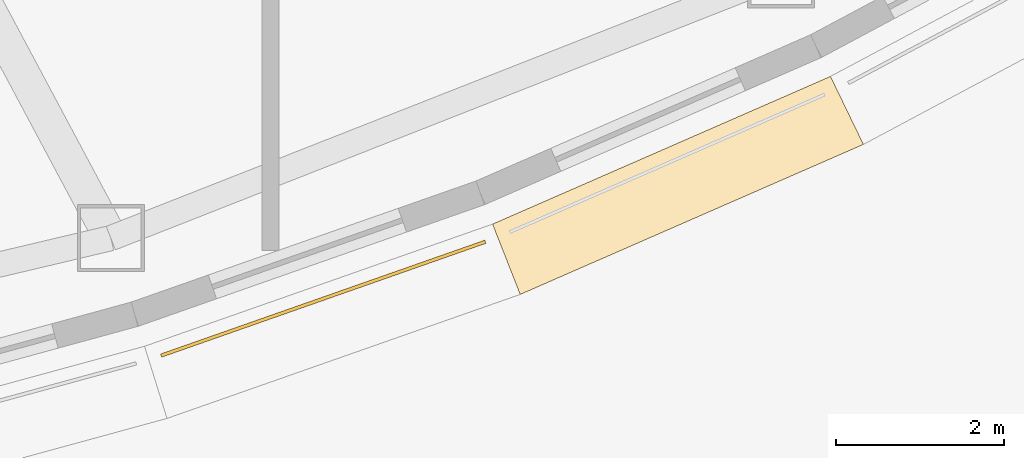
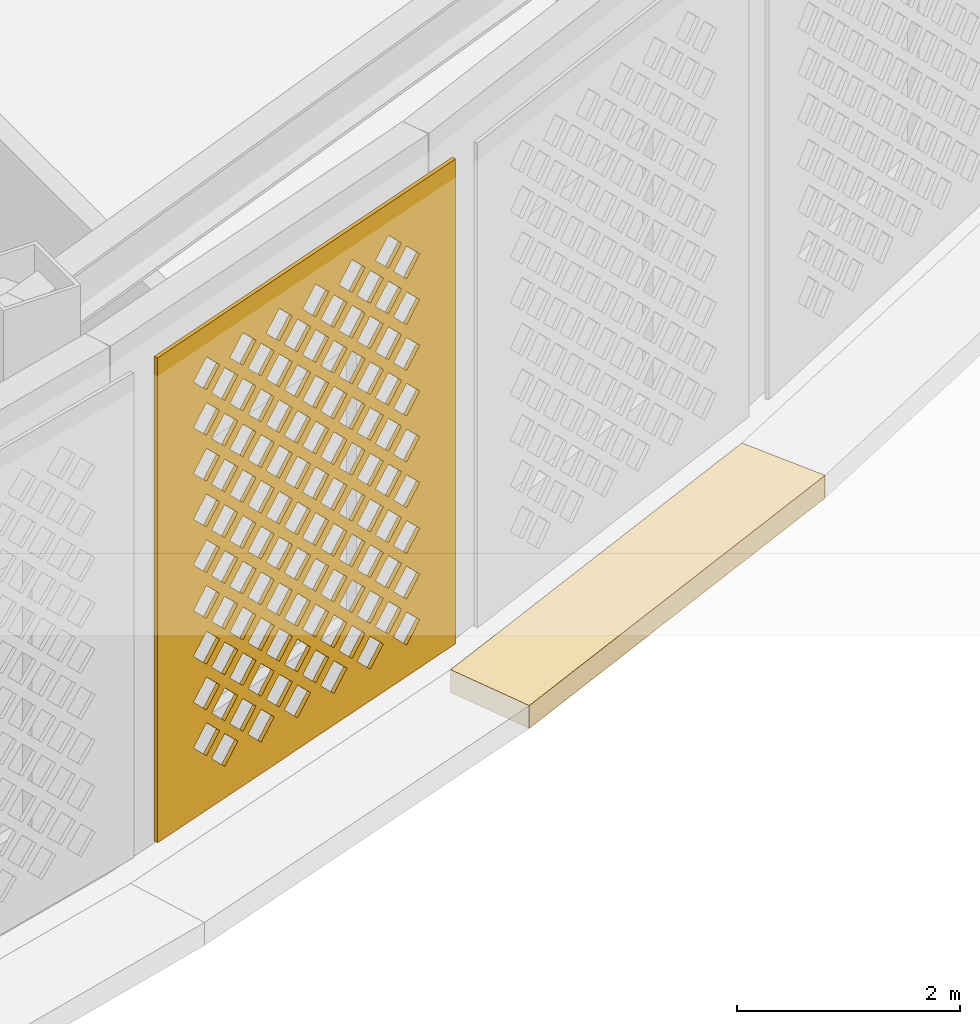
# One storey, part 62 of 74: 2 coverings.
"""IFC4 building model written with IfcOpenShell, lengths in metres."""

import ifcopenshell
import ifcopenshell.guid

model = None  # the IFC model being written
_history = None  # IfcOwnerHistory: only IFC2X3 demands one
_inside = {}  # id of a spatial element -> (the spatial element, [elements in it])
_under = {}  # id of a project, library or spatial element -> (it, [spatial elements below it])
_declared = {}  # id of a project -> (the project, [libraries it declares])
_typed = {}  # id of a type object -> (the type object, [elements of that type])
_made_of = {}  # id of a material, layer set ... -> (it, [elements and type objects made of it])


def new_model(schema):
    """Start an empty IFC model of exactly this schema.

    Asked for "IFC4X3", IfcOpenShell would pick the latest addendum, in which some entities
    have other attributes; the version numbers below select the first issue.
    IFC2X3 requires an IfcOwnerHistory on every rooted entity: one is made here for all.
    """
    global model, _history
    if schema == "IFC4X3":
        model = ifcopenshell.file(schema_version=(4, 3, 0, 0))
    else:
        model = ifcopenshell.file(schema=schema)
    _inside.clear()
    _under.clear()
    _declared.clear()
    _typed.clear()
    _made_of.clear()
    _history = None
    if model.schema == "IFC2X3":
        org = make("IfcOrganization", Name="unknown")
        user = make(
            "IfcPersonAndOrganization",
            ThePerson=make("IfcPerson", FamilyName="unknown"),
            TheOrganization=org,
        )
        app = make(
            "IfcApplication",
            ApplicationDeveloper=org,
            Version="unknown",
            ApplicationFullName="unknown",
            ApplicationIdentifier="unknown",
        )
        _history = make(
            "IfcOwnerHistory",
            OwningUser=user,
            OwningApplication=app,
            ChangeAction="ADDED",
            CreationDate=0,
        )
    return model


def make(cls, **values):
    """One entity of the class cls with the attributes given. An attribute that is None is left unset."""
    return model.create_entity(
        cls, **{name: value for name, value in values.items() if value is not None}
    )


def rooted(cls, **values):
    """An entity with a GlobalId (a new one), such as an element, a storey or a relation."""
    return make(cls, GlobalId=ifcopenshell.guid.new(), OwnerHistory=_history, **values)


def si_unit(unit_type, name, prefix=None):
    """IfcSIUnit, for example si_unit("LENGTHUNIT", "METRE", prefix="MILLI")."""
    return make("IfcSIUnit", UnitType=unit_type, Prefix=prefix, Name=name)


def assignment(units):
    """IfcUnitAssignment: the units of a project."""
    return None if units is None else make("IfcUnitAssignment", Units=units)


def point(xyz):
    """IfcCartesianPoint."""
    return None if xyz is None else make("IfcCartesianPoint", Coordinates=xyz)


def direction(xyz):
    """IfcDirection."""
    return None if xyz is None else make("IfcDirection", DirectionRatios=xyz)


def frame(location, z_axis=None, x_axis=None):
    """IfcAxis2Placement3D, a coordinate frame: its origin and axes. An axis left out is left unset."""
    return make(
        "IfcAxis2Placement3D",
        Location=point(location),
        Axis=direction(z_axis),
        RefDirection=direction(x_axis),
    )


def origin():
    """The frame at (0, 0, 0) with its axes left unset."""
    return frame((0.0, 0.0, 0.0))


def place(relative_to, where):
    """IfcLocalPlacement: puts the frame where relative to a parent placement (None: the world)."""
    return make(
        "IfcLocalPlacement", PlacementRelTo=relative_to, RelativePlacement=where
    )


def context(
    kind, dimensions, precision=None, world=None, true_north=None, identifier=None
):
    """IfcGeometricRepresentationContext, for example the 3D "Model" context."""
    return make(
        "IfcGeometricRepresentationContext",
        ContextIdentifier=identifier,
        ContextType=kind,
        CoordinateSpaceDimension=dimensions,
        Precision=precision,
        WorldCoordinateSystem=world,
        TrueNorth=true_north,
    )


def subcontext(parent, identifier, kind, view, scale=None):
    """IfcGeometricRepresentationSubContext, for example "Body" below "Model"."""
    return make(
        "IfcGeometricRepresentationSubContext",
        ContextIdentifier=identifier,
        ContextType=kind,
        ParentContext=parent,
        TargetScale=scale,
        TargetView=view,
    )


def project(units=None, contexts=None):
    """IfcProject with its units and contexts."""
    return rooted(
        "IfcProject",
        Name="project",
        RepresentationContexts=contexts,
        UnitsInContext=assignment(units),
    )


def spatial(cls, under=None, at=None, **own):
    """A site, building, storey or space (cls), placed at a placement, below another one or the project."""
    s = rooted(cls, ObjectPlacement=at, **own)
    if under is not None:
        _under.setdefault(under.id(), (under, []))[1].append(s)
    return s


def polyline(points):
    """IfcPolyline through the points."""
    return make("IfcPolyline", Points=[point(p) for p in points])


def outline(outer, holes=None, kind="AREA"):
    """IfcArbitraryClosedProfileDef: a profile drawn as a closed curve; with holes, ...WithVoids."""
    if holes is None:
        return make("IfcArbitraryClosedProfileDef", ProfileType=kind, OuterCurve=outer)
    return make(
        "IfcArbitraryProfileDefWithVoids",
        ProfileType=kind,
        OuterCurve=outer,
        InnerCurves=holes,
    )


def extrude(swept, where, along, depth):
    """IfcExtrudedAreaSolid: the profile swept, set in the frame where, extruded along a direction by depth."""
    return make(
        "IfcExtrudedAreaSolid",
        SweptArea=swept,
        Position=where,
        ExtrudedDirection=direction(along),
        Depth=depth,
    )


def shape(context_of_items, identifier, shape_type, items):
    """IfcShapeRepresentation: the items that make up one representation, for example the "Body"."""
    return make(
        "IfcShapeRepresentation",
        ContextOfItems=context_of_items,
        RepresentationIdentifier=identifier,
        RepresentationType=shape_type,
        Items=items,
    )


def material(Name=None, Category=None):
    """IfcMaterial."""
    return make("IfcMaterial", Name=Name, Category=Category)


def layer(
    of_material, thickness, ventilated=None, Name=None, Category=None, Priority=None
):
    """IfcMaterialLayer: one layer of a wall or slab, of a material (None: an air gap)."""
    return make(
        "IfcMaterialLayer",
        Material=of_material,
        LayerThickness=thickness,
        IsVentilated=ventilated,
        Name=Name,
        Category=Category,
        Priority=Priority,
    )


def layer_set(layers, Name=None):
    """IfcMaterialLayerSet."""
    return make("IfcMaterialLayerSet", MaterialLayers=layers, LayerSetName=Name)


def made_of(thing, what):
    """Note that an element or type object is made of a material, layer set ...; save() writes the relation."""
    if what is not None:
        _made_of.setdefault(what.id(), (what, []))[1].append(thing)
    return thing


def type_object(cls, material=None, **own):
    """A type object (cls), such as IfcWallType, which elements share."""
    return made_of(rooted(cls, **own), material)


def element(
    cls,
    number,
    at=None,
    inside=None,
    cuts=None,
    type_object=None,
    material=None,
    context=None,
    identifier="Body",
    shape_type=None,
    held_by="IfcProductDefinitionShape",
    body=None,
    shapes=None,
    **own,
):
    """One element of the class cls, such as IfcWall. Its Tag is "e" and its number.

    at: its placement. inside: the storey or other place that contains it. cuts: it is an
    opening in that element (IfcRelVoidsElement). A single representation is given by context,
    identifier, shape_type and body (its items); several are given by shapes. held_by: the class
    of the entity that holds the representations. save() writes the other relations.
    """
    e = rooted(cls, Tag="e%d" % number, ObjectPlacement=at, **own)
    if body is not None:
        shapes = [shape(context, identifier, shape_type, body)]
    if shapes is not None:
        e.Representation = make(held_by, Representations=shapes)
    if inside is not None:
        _inside.setdefault(inside.id(), (inside, []))[1].append(e)
    if cuts is not None:
        rooted(
            "IfcRelVoidsElement", RelatingBuildingElement=cuts, RelatedOpeningElement=e
        )
    if type_object is not None:
        _typed.setdefault(type_object.id(), (type_object, []))[1].append(e)
    return made_of(e, material)


def aggregate(whole, parts):
    """IfcRelAggregates: a whole, such as a stair, and the parts it consists of."""
    return rooted("IfcRelAggregates", RelatingObject=whole, RelatedObjects=parts)


def save(model, path):
    """Write the relations noted so far, then the file.

    IfcRelAggregates (storeys below a building ...), IfcRelContainedInSpatialStructure (elements
    in a storey), IfcRelDefinesByType, IfcRelAssociatesMaterial and IfcRelDeclares: one each for
    every whole, place, type object, material and project.
    """
    for whole, parts in _under.values():
        aggregate(whole, parts)
    for where, things in _inside.values():
        rooted(
            "IfcRelContainedInSpatialStructure",
            RelatedElements=things,
            RelatingStructure=where,
        )
    for kind, things in _typed.values():
        rooted("IfcRelDefinesByType", RelatedObjects=things, RelatingType=kind)
    for what, things in _made_of.values():
        rooted("IfcRelAssociatesMaterial", RelatedObjects=things, RelatingMaterial=what)
    for by, libraries in _declared.values():
        rooted("IfcRelDeclares", RelatingContext=by, RelatedDefinitions=libraries)
    model.write(path)


model = new_model("IFC4")

# Units and contexts
model_context = context("Model", 3, precision=1e-05, world=origin(), true_north=direction((0.0, 1.0)))
body_context = subcontext(model_context, "Body", "Model", "MODEL_VIEW")
ifc_project = project(units=[si_unit("LENGTHUNIT", "METRE"), si_unit("AREAUNIT", "SQUARE_METRE"), si_unit("VOLUMEUNIT", "CUBIC_METRE"), si_unit("PLANEANGLEUNIT", "RADIAN"), si_unit("MASSUNIT", "GRAM", prefix="KILO")], contexts=[model_context])

# Site, building, storey
site_placement = place(None, origin())
site = spatial("IfcSite", under=ifc_project, at=site_placement, CompositionType="ELEMENT")
building_placement = place(site_placement, origin())
building = spatial("IfcBuilding", under=site, at=building_placement, Name="Noorbagh Ring Tower", CompositionType="ELEMENT")
storey_placement = place(building_placement, frame((0.0, 0.0, 7.5)))
storey = spatial("IfcBuildingStorey", under=building, at=storey_placement, Name="L01", CompositionType="ELEMENT", Elevation=7.5)

# Coverings
ifc_material_1 = material(Name="Red sandstone eave", Category="masonry")
covering_type_1 = type_object("IfcCoveringType", Name="STY-CHHAJJA", PredefinedType="USERDEFINED", material=ifc_material_1)
covering_1_placement = place(storey_placement, frame((0.0, 0.0, -0.25)))
element("IfcCovering", 1, at=covering_1_placement, inside=storey, type_object=covering_type_1, Name="Chhajja eave", ObjectType="CHHAJJA", PredefinedType="USERDEFINED", context=body_context, shape_type="SweptSolid", body=[
    extrude(outline(polyline([(23.647216796875, -35.624755859375), (27.67578125, -33.864013671875), (28.068603515625, -34.674560546875), (23.976806640625, -36.462890625), (23.647216796875, -35.624755859375)])), origin(), (0.0, 0.0, 1.0), 0.25),
])
ifc_material_2 = material(Name="Red sandstone jali", Category="masonry")
ifc_layer = layer(ifc_material_2, 0.0400390625)
ifc_layer_set = layer_set([ifc_layer], Name="Red sandstone jali")
covering_type_2 = type_object("IfcCoveringType", Name="STY-JALI", PredefinedType="USERDEFINED", material=ifc_layer_set)
covering_2_placement = place(storey_placement, frame((19.702880859375, -37.2109375, 0.449951171875), z_axis=(0.331258049676, -0.94354019762, 0.0), x_axis=(0.94354019762, 0.331258049676, 0.0)))
element("IfcCovering", 2, at=covering_2_placement, inside=storey, type_object=covering_type_2, Name="Jali screen", ObjectType="SCREEN", PredefinedType="USERDEFINED", context=body_context, shape_type="SweptSolid", body=[
    extrude(outline(polyline([(0.0, 0.0), (4.096923828125, 0.0), (4.096923828125, 5.300048828125), (0.0, 5.300048828125), (0.0, 0.0)]), holes=[polyline([(0.743408203125, 0.52490234375), (0.92333984375, 0.344970703125), (1.103515625, 0.52490234375), (0.92333984375, 0.705078125), (0.743408203125, 0.52490234375)]), polyline([(1.243408203125, 0.52490234375), (1.42333984375, 0.344970703125), (1.603515625, 0.52490234375), (1.42333984375, 0.705078125), (1.243408203125, 0.52490234375)]), polyline([(1.743408203125, 0.52490234375), (1.92333984375, 0.344970703125), (2.103515625, 0.52490234375), (1.92333984375, 0.705078125), (1.743408203125, 0.52490234375)]), polyline([(2.243408203125, 0.52490234375), (2.42333984375, 0.344970703125), (2.603515625, 0.52490234375), (2.42333984375, 0.705078125), (2.243408203125, 0.52490234375)]), polyline([(2.743408203125, 0.52490234375), (2.92333984375, 0.344970703125), (3.103515625, 0.52490234375), (2.92333984375, 0.705078125), (2.743408203125, 0.52490234375)]), polyline([(3.243408203125, 0.52490234375), (3.42333984375, 0.344970703125), (3.603515625, 0.52490234375), (3.42333984375, 0.705078125), (3.243408203125, 0.52490234375)]), polyline([(0.493408203125, 0.77490234375), (0.67333984375, 0.594970703125), (0.853515625, 0.77490234375), (0.67333984375, 0.955078125), (0.493408203125, 0.77490234375)]), polyline([(0.993408203125, 0.77490234375), (1.17333984375, 0.594970703125), (1.353515625, 0.77490234375), (1.17333984375, 0.955078125), (0.993408203125, 0.77490234375)]), polyline([(1.493408203125, 0.77490234375), (1.67333984375, 0.594970703125), (1.853515625, 0.77490234375), (1.67333984375, 0.955078125), (1.493408203125, 0.77490234375)]), polyline([(1.993408203125, 0.77490234375), (2.17333984375, 0.594970703125), (2.353515625, 0.77490234375), (2.17333984375, 0.955078125), (1.993408203125, 0.77490234375)]), polyline([(2.493408203125, 0.77490234375), (2.67333984375, 0.594970703125), (2.853515625, 0.77490234375), (2.67333984375, 0.955078125), (2.493408203125, 0.77490234375)]), polyline([(2.993408203125, 0.77490234375), (3.17333984375, 0.594970703125), (3.353515625, 0.77490234375), (3.17333984375, 0.955078125), (2.993408203125, 0.77490234375)]), polyline([(0.743408203125, 1.02490234375), (0.92333984375, 0.844970703125), (1.103515625, 1.02490234375), (0.92333984375, 1.205078125), (0.743408203125, 1.02490234375)]), polyline([(1.243408203125, 1.02490234375), (1.42333984375, 0.844970703125), (1.603515625, 1.02490234375), (1.42333984375, 1.205078125), (1.243408203125, 1.02490234375)]), polyline([(1.743408203125, 1.02490234375), (1.92333984375, 0.844970703125), (2.103515625, 1.02490234375), (1.92333984375, 1.205078125), (1.743408203125, 1.02490234375)]), polyline([(2.243408203125, 1.02490234375), (2.42333984375, 0.844970703125), (2.603515625, 1.02490234375), (2.42333984375, 1.205078125), (2.243408203125, 1.02490234375)]), polyline([(2.743408203125, 1.02490234375), (2.92333984375, 0.844970703125), (3.103515625, 1.02490234375), (2.92333984375, 1.205078125), (2.743408203125, 1.02490234375)]), polyline([(3.243408203125, 1.02490234375), (3.42333984375, 0.844970703125), (3.603515625, 1.02490234375), (3.42333984375, 1.205078125), (3.243408203125, 1.02490234375)]), polyline([(0.493408203125, 1.27490234375), (0.67333984375, 1.094970703125), (0.853515625, 1.27490234375), (0.67333984375, 1.455078125), (0.493408203125, 1.27490234375)]), polyline([(0.993408203125, 1.27490234375), (1.17333984375, 1.094970703125), (1.353515625, 1.27490234375), (1.17333984375, 1.455078125), (0.993408203125, 1.27490234375)]), polyline([(1.493408203125, 1.27490234375), (1.67333984375, 1.094970703125), (1.853515625, 1.27490234375), (1.67333984375, 1.455078125), (1.493408203125, 1.27490234375)]), polyline([(1.993408203125, 1.27490234375), (2.17333984375, 1.094970703125), (2.353515625, 1.27490234375), (2.17333984375, 1.455078125), (1.993408203125, 1.27490234375)]), polyline([(2.493408203125, 1.27490234375), (2.67333984375, 1.094970703125), (2.853515625, 1.27490234375), (2.67333984375, 1.455078125), (2.493408203125, 1.27490234375)]), polyline([(2.993408203125, 1.27490234375), (3.17333984375, 1.094970703125), (3.353515625, 1.27490234375), (3.17333984375, 1.455078125), (2.993408203125, 1.27490234375)]), polyline([(0.743408203125, 1.52490234375), (0.92333984375, 1.344970703125), (1.103515625, 1.52490234375), (0.92333984375, 1.705078125), (0.743408203125, 1.52490234375)]), polyline([(1.243408203125, 1.52490234375), (1.42333984375, 1.344970703125), (1.603515625, 1.52490234375), (1.42333984375, 1.705078125), (1.243408203125, 1.52490234375)]), polyline([(1.743408203125, 1.52490234375), (1.92333984375, 1.344970703125), (2.103515625, 1.52490234375), (1.92333984375, 1.705078125), (1.743408203125, 1.52490234375)]), polyline([(2.243408203125, 1.52490234375), (2.42333984375, 1.344970703125), (2.603515625, 1.52490234375), (2.42333984375, 1.705078125), (2.243408203125, 1.52490234375)]), polyline([(2.743408203125, 1.52490234375), (2.92333984375, 1.344970703125), (3.103515625, 1.52490234375), (2.92333984375, 1.705078125), (2.743408203125, 1.52490234375)]), polyline([(3.243408203125, 1.52490234375), (3.42333984375, 1.344970703125), (3.603515625, 1.52490234375), (3.42333984375, 1.705078125), (3.243408203125, 1.52490234375)]), polyline([(0.493408203125, 1.77490234375), (0.67333984375, 1.594970703125), (0.853515625, 1.77490234375), (0.67333984375, 1.955078125), (0.493408203125, 1.77490234375)]), polyline([(0.993408203125, 1.77490234375), (1.17333984375, 1.594970703125), (1.353515625, 1.77490234375), (1.17333984375, 1.955078125), (0.993408203125, 1.77490234375)]), polyline([(1.493408203125, 1.77490234375), (1.67333984375, 1.594970703125), (1.853515625, 1.77490234375), (1.67333984375, 1.955078125), (1.493408203125, 1.77490234375)]), polyline([(1.993408203125, 1.77490234375), (2.17333984375, 1.594970703125), (2.353515625, 1.77490234375), (2.17333984375, 1.955078125), (1.993408203125, 1.77490234375)]), polyline([(2.493408203125, 1.77490234375), (2.67333984375, 1.594970703125), (2.853515625, 1.77490234375), (2.67333984375, 1.955078125), (2.493408203125, 1.77490234375)]), polyline([(2.993408203125, 1.77490234375), (3.17333984375, 1.594970703125), (3.353515625, 1.77490234375), (3.17333984375, 1.955078125), (2.993408203125, 1.77490234375)]), polyline([(0.743408203125, 2.02490234375), (0.92333984375, 1.844970703125), (1.103515625, 2.02490234375), (0.92333984375, 2.205078125), (0.743408203125, 2.02490234375)]), polyline([(1.243408203125, 2.02490234375), (1.42333984375, 1.844970703125), (1.603515625, 2.02490234375), (1.42333984375, 2.205078125), (1.243408203125, 2.02490234375)]), polyline([(1.743408203125, 2.02490234375), (1.92333984375, 1.844970703125), (2.103515625, 2.02490234375), (1.92333984375, 2.205078125), (1.743408203125, 2.02490234375)]), polyline([(2.243408203125, 2.02490234375), (2.42333984375, 1.844970703125), (2.603515625, 2.02490234375), (2.42333984375, 2.205078125), (2.243408203125, 2.02490234375)]), polyline([(2.743408203125, 2.02490234375), (2.92333984375, 1.844970703125), (3.103515625, 2.02490234375), (2.92333984375, 2.205078125), (2.743408203125, 2.02490234375)]), polyline([(3.243408203125, 2.02490234375), (3.42333984375, 1.844970703125), (3.603515625, 2.02490234375), (3.42333984375, 2.205078125), (3.243408203125, 2.02490234375)]), polyline([(0.493408203125, 2.27490234375), (0.67333984375, 2.094970703125), (0.853515625, 2.27490234375), (0.67333984375, 2.455078125), (0.493408203125, 2.27490234375)]), polyline([(0.993408203125, 2.27490234375), (1.17333984375, 2.094970703125), (1.353515625, 2.27490234375), (1.17333984375, 2.455078125), (0.993408203125, 2.27490234375)]), polyline([(1.493408203125, 2.27490234375), (1.67333984375, 2.094970703125), (1.853515625, 2.27490234375), (1.67333984375, 2.455078125), (1.493408203125, 2.27490234375)]), polyline([(1.993408203125, 2.27490234375), (2.17333984375, 2.094970703125), (2.353515625, 2.27490234375), (2.17333984375, 2.455078125), (1.993408203125, 2.27490234375)]), polyline([(2.493408203125, 2.27490234375), (2.67333984375, 2.094970703125), (2.853515625, 2.27490234375), (2.67333984375, 2.455078125), (2.493408203125, 2.27490234375)]), polyline([(2.993408203125, 2.27490234375), (3.17333984375, 2.094970703125), (3.353515625, 2.27490234375), (3.17333984375, 2.455078125), (2.993408203125, 2.27490234375)]), polyline([(0.743408203125, 2.52490234375), (0.92333984375, 2.344970703125), (1.103515625, 2.52490234375), (0.92333984375, 2.705078125), (0.743408203125, 2.52490234375)]), polyline([(1.243408203125, 2.52490234375), (1.42333984375, 2.344970703125), (1.603515625, 2.52490234375), (1.42333984375, 2.705078125), (1.243408203125, 2.52490234375)]), polyline([(1.743408203125, 2.52490234375), (1.92333984375, 2.344970703125), (2.103515625, 2.52490234375), (1.92333984375, 2.705078125), (1.743408203125, 2.52490234375)]), polyline([(2.243408203125, 2.52490234375), (2.42333984375, 2.344970703125), (2.603515625, 2.52490234375), (2.42333984375, 2.705078125), (2.243408203125, 2.52490234375)]), polyline([(2.743408203125, 2.52490234375), (2.92333984375, 2.344970703125), (3.103515625, 2.52490234375), (2.92333984375, 2.705078125), (2.743408203125, 2.52490234375)]), polyline([(3.243408203125, 2.52490234375), (3.42333984375, 2.344970703125), (3.603515625, 2.52490234375), (3.42333984375, 2.705078125), (3.243408203125, 2.52490234375)]), polyline([(0.493408203125, 2.77490234375), (0.67333984375, 2.594970703125), (0.853515625, 2.77490234375), (0.67333984375, 2.955078125), (0.493408203125, 2.77490234375)]), polyline([(0.993408203125, 2.77490234375), (1.17333984375, 2.594970703125), (1.353515625, 2.77490234375), (1.17333984375, 2.955078125), (0.993408203125, 2.77490234375)]), polyline([(1.493408203125, 2.77490234375), (1.67333984375, 2.594970703125), (1.853515625, 2.77490234375), (1.67333984375, 2.955078125), (1.493408203125, 2.77490234375)]), polyline([(1.993408203125, 2.77490234375), (2.17333984375, 2.594970703125), (2.353515625, 2.77490234375), (2.17333984375, 2.955078125), (1.993408203125, 2.77490234375)]), polyline([(2.493408203125, 2.77490234375), (2.67333984375, 2.594970703125), (2.853515625, 2.77490234375), (2.67333984375, 2.955078125), (2.493408203125, 2.77490234375)]), polyline([(2.993408203125, 2.77490234375), (3.17333984375, 2.594970703125), (3.353515625, 2.77490234375), (3.17333984375, 2.955078125), (2.993408203125, 2.77490234375)]), polyline([(0.743408203125, 3.02490234375), (0.92333984375, 2.844970703125), (1.103515625, 3.02490234375), (0.92333984375, 3.205078125), (0.743408203125, 3.02490234375)]), polyline([(1.243408203125, 3.02490234375), (1.42333984375, 2.844970703125), (1.603515625, 3.02490234375), (1.42333984375, 3.205078125), (1.243408203125, 3.02490234375)]), polyline([(1.743408203125, 3.02490234375), (1.92333984375, 2.844970703125), (2.103515625, 3.02490234375), (1.92333984375, 3.205078125), (1.743408203125, 3.02490234375)]), polyline([(2.243408203125, 3.02490234375), (2.42333984375, 2.844970703125), (2.603515625, 3.02490234375), (2.42333984375, 3.205078125), (2.243408203125, 3.02490234375)]), polyline([(2.743408203125, 3.02490234375), (2.92333984375, 2.844970703125), (3.103515625, 3.02490234375), (2.92333984375, 3.205078125), (2.743408203125, 3.02490234375)]), polyline([(3.243408203125, 3.02490234375), (3.42333984375, 2.844970703125), (3.603515625, 3.02490234375), (3.42333984375, 3.205078125), (3.243408203125, 3.02490234375)]), polyline([(0.493408203125, 3.27490234375), (0.67333984375, 3.094970703125), (0.853515625, 3.27490234375), (0.67333984375, 3.455078125), (0.493408203125, 3.27490234375)]), polyline([(0.993408203125, 3.27490234375), (1.17333984375, 3.094970703125), (1.353515625, 3.27490234375), (1.17333984375, 3.455078125), (0.993408203125, 3.27490234375)]), polyline([(1.493408203125, 3.27490234375), (1.67333984375, 3.094970703125), (1.853515625, 3.27490234375), (1.67333984375, 3.455078125), (1.493408203125, 3.27490234375)]), polyline([(1.993408203125, 3.27490234375), (2.17333984375, 3.094970703125), (2.353515625, 3.27490234375), (2.17333984375, 3.455078125), (1.993408203125, 3.27490234375)]), polyline([(2.493408203125, 3.27490234375), (2.67333984375, 3.094970703125), (2.853515625, 3.27490234375), (2.67333984375, 3.455078125), (2.493408203125, 3.27490234375)]), polyline([(2.993408203125, 3.27490234375), (3.17333984375, 3.094970703125), (3.353515625, 3.27490234375), (3.17333984375, 3.455078125), (2.993408203125, 3.27490234375)]), polyline([(0.743408203125, 3.52490234375), (0.92333984375, 3.344970703125), (1.103515625, 3.52490234375), (0.92333984375, 3.705078125), (0.743408203125, 3.52490234375)]), polyline([(1.243408203125, 3.52490234375), (1.42333984375, 3.344970703125), (1.603515625, 3.52490234375), (1.42333984375, 3.705078125), (1.243408203125, 3.52490234375)]), polyline([(1.743408203125, 3.52490234375), (1.92333984375, 3.344970703125), (2.103515625, 3.52490234375), (1.92333984375, 3.705078125), (1.743408203125, 3.52490234375)]), polyline([(2.243408203125, 3.52490234375), (2.42333984375, 3.344970703125), (2.603515625, 3.52490234375), (2.42333984375, 3.705078125), (2.243408203125, 3.52490234375)]), polyline([(2.743408203125, 3.52490234375), (2.92333984375, 3.344970703125), (3.103515625, 3.52490234375), (2.92333984375, 3.705078125), (2.743408203125, 3.52490234375)]), polyline([(3.243408203125, 3.52490234375), (3.42333984375, 3.344970703125), (3.603515625, 3.52490234375), (3.42333984375, 3.705078125), (3.243408203125, 3.52490234375)]), polyline([(0.493408203125, 3.77490234375), (0.67333984375, 3.594970703125), (0.853515625, 3.77490234375), (0.67333984375, 3.955078125), (0.493408203125, 3.77490234375)]), polyline([(0.993408203125, 3.77490234375), (1.17333984375, 3.594970703125), (1.353515625, 3.77490234375), (1.17333984375, 3.955078125), (0.993408203125, 3.77490234375)]), polyline([(1.493408203125, 3.77490234375), (1.67333984375, 3.594970703125), (1.853515625, 3.77490234375), (1.67333984375, 3.955078125), (1.493408203125, 3.77490234375)]), polyline([(1.993408203125, 3.77490234375), (2.17333984375, 3.594970703125), (2.353515625, 3.77490234375), (2.17333984375, 3.955078125), (1.993408203125, 3.77490234375)]), polyline([(2.493408203125, 3.77490234375), (2.67333984375, 3.594970703125), (2.853515625, 3.77490234375), (2.67333984375, 3.955078125), (2.493408203125, 3.77490234375)]), polyline([(2.993408203125, 3.77490234375), (3.17333984375, 3.594970703125), (3.353515625, 3.77490234375), (3.17333984375, 3.955078125), (2.993408203125, 3.77490234375)]), polyline([(0.743408203125, 4.02490234375), (0.92333984375, 3.844970703125), (1.103515625, 4.02490234375), (0.92333984375, 4.205078125), (0.743408203125, 4.02490234375)]), polyline([(1.243408203125, 4.02490234375), (1.42333984375, 3.844970703125), (1.603515625, 4.02490234375), (1.42333984375, 4.205078125), (1.243408203125, 4.02490234375)]), polyline([(1.743408203125, 4.02490234375), (1.92333984375, 3.844970703125), (2.103515625, 4.02490234375), (1.92333984375, 4.205078125), (1.743408203125, 4.02490234375)]), polyline([(2.243408203125, 4.02490234375), (2.42333984375, 3.844970703125), (2.603515625, 4.02490234375), (2.42333984375, 4.205078125), (2.243408203125, 4.02490234375)]), polyline([(2.743408203125, 4.02490234375), (2.92333984375, 3.844970703125), (3.103515625, 4.02490234375), (2.92333984375, 4.205078125), (2.743408203125, 4.02490234375)]), polyline([(3.243408203125, 4.02490234375), (3.42333984375, 3.844970703125), (3.603515625, 4.02490234375), (3.42333984375, 4.205078125), (3.243408203125, 4.02490234375)]), polyline([(0.493408203125, 4.27490234375), (0.67333984375, 4.094970703125), (0.853515625, 4.27490234375), (0.67333984375, 4.455078125), (0.493408203125, 4.27490234375)]), polyline([(0.993408203125, 4.27490234375), (1.17333984375, 4.094970703125), (1.353515625, 4.27490234375), (1.17333984375, 4.455078125), (0.993408203125, 4.27490234375)]), polyline([(1.493408203125, 4.27490234375), (1.67333984375, 4.094970703125), (1.853515625, 4.27490234375), (1.67333984375, 4.455078125), (1.493408203125, 4.27490234375)]), polyline([(1.993408203125, 4.27490234375), (2.17333984375, 4.094970703125), (2.353515625, 4.27490234375), (2.17333984375, 4.455078125), (1.993408203125, 4.27490234375)]), polyline([(2.493408203125, 4.27490234375), (2.67333984375, 4.094970703125), (2.853515625, 4.27490234375), (2.67333984375, 4.455078125), (2.493408203125, 4.27490234375)]), polyline([(2.993408203125, 4.27490234375), (3.17333984375, 4.094970703125), (3.353515625, 4.27490234375), (3.17333984375, 4.455078125), (2.993408203125, 4.27490234375)]), polyline([(0.743408203125, 4.52490234375), (0.92333984375, 4.344970703125), (1.103515625, 4.52490234375), (0.92333984375, 4.705078125), (0.743408203125, 4.52490234375)]), polyline([(1.243408203125, 4.52490234375), (1.42333984375, 4.344970703125), (1.603515625, 4.52490234375), (1.42333984375, 4.705078125), (1.243408203125, 4.52490234375)]), polyline([(1.743408203125, 4.52490234375), (1.92333984375, 4.344970703125), (2.103515625, 4.52490234375), (1.92333984375, 4.705078125), (1.743408203125, 4.52490234375)]), polyline([(2.243408203125, 4.52490234375), (2.42333984375, 4.344970703125), (2.603515625, 4.52490234375), (2.42333984375, 4.705078125), (2.243408203125, 4.52490234375)]), polyline([(2.743408203125, 4.52490234375), (2.92333984375, 4.344970703125), (3.103515625, 4.52490234375), (2.92333984375, 4.705078125), (2.743408203125, 4.52490234375)]), polyline([(3.243408203125, 4.52490234375), (3.42333984375, 4.344970703125), (3.603515625, 4.52490234375), (3.42333984375, 4.705078125), (3.243408203125, 4.52490234375)]), polyline([(0.493408203125, 4.77490234375), (0.67333984375, 4.594970703125), (0.853515625, 4.77490234375), (0.67333984375, 4.955078125), (0.493408203125, 4.77490234375)]), polyline([(0.993408203125, 4.77490234375), (1.17333984375, 4.594970703125), (1.353515625, 4.77490234375), (1.17333984375, 4.955078125), (0.993408203125, 4.77490234375)]), polyline([(1.493408203125, 4.77490234375), (1.67333984375, 4.594970703125), (1.853515625, 4.77490234375), (1.67333984375, 4.955078125), (1.493408203125, 4.77490234375)]), polyline([(1.993408203125, 4.77490234375), (2.17333984375, 4.594970703125), (2.353515625, 4.77490234375), (2.17333984375, 4.955078125), (1.993408203125, 4.77490234375)]), polyline([(2.493408203125, 4.77490234375), (2.67333984375, 4.594970703125), (2.853515625, 4.77490234375), (2.67333984375, 4.955078125), (2.493408203125, 4.77490234375)]), polyline([(2.993408203125, 4.77490234375), (3.17333984375, 4.594970703125), (3.353515625, 4.77490234375), (3.17333984375, 4.955078125), (2.993408203125, 4.77490234375)])]), origin(), (0.0, 0.0, -1.0), 0.0400390625),
])

save(model, "model.ifc")
